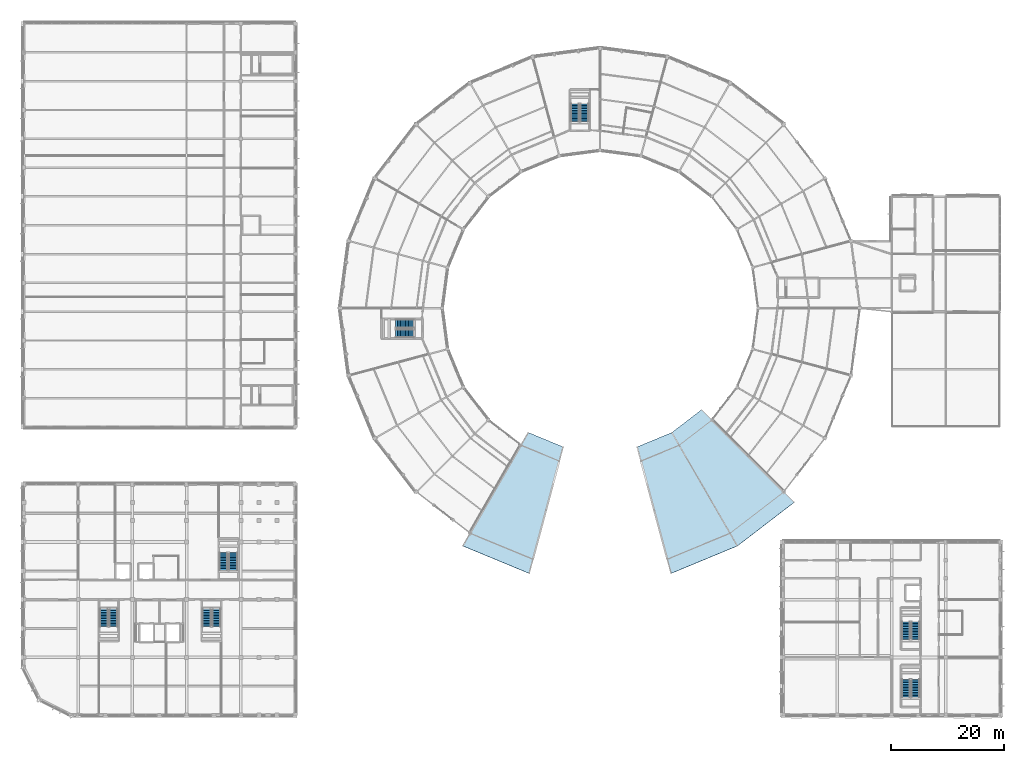
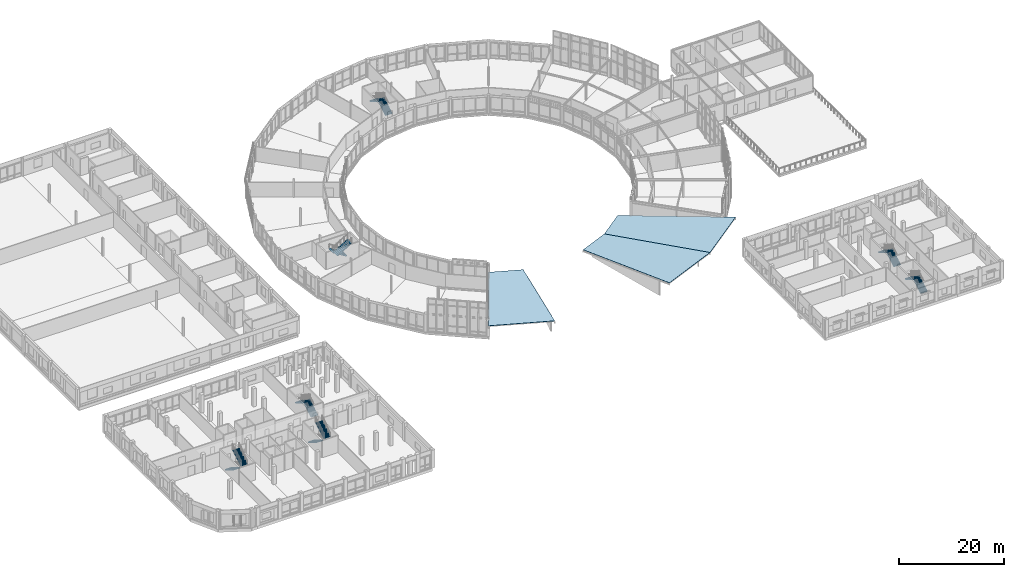
# One storey, part 168 of 185: 14 stair flights, 3 roofs, 7 elements without a shape of their own.
"""IFC4 building model written with IfcOpenShell, lengths in metres."""

from ifc_helpers import new_model, si_unit, direction, frame, origin, place, context, subcontext, project, spatial, polyline, outline, extrude, material, layer, layer_set, type_object, element, aggregate, save


model = new_model("IFC4")

# Units and contexts
model_context = context("Model", 3, precision=1e-05, world=origin(), true_north=direction((0.0, 1.0)))
body_context = subcontext(model_context, "Body", "Model", "MODEL_VIEW")
ifc_project = project(units=[si_unit("LENGTHUNIT", "METRE"), si_unit("AREAUNIT", "SQUARE_METRE"), si_unit("VOLUMEUNIT", "CUBIC_METRE"), si_unit("PLANEANGLEUNIT", "RADIAN"), si_unit("MASSUNIT", "GRAM", prefix="KILO")], contexts=[model_context])

# Site, building, storey
site_placement = place(None, origin())
site = spatial("IfcSite", under=ifc_project, at=site_placement, CompositionType="ELEMENT")
building_placement = place(site_placement, origin())
building = spatial("IfcBuilding", under=site, at=building_placement, Name="Vondelvale Polytechnic", CompositionType="ELEMENT")
storey_placement = place(building_placement, frame((0.0, 0.0, 9.60009765625)))
storey = spatial("IfcBuildingStorey", under=building, at=storey_placement, Name="L02", CompositionType="ELEMENT", Elevation=9.60009765625)

# Stair, stair flights
ifc_material_1 = material(Name="Concrete N40 (f'c = 40 MPa)", Category="concrete")
stair_type = type_object("IfcStairType", Name="STR-DOG-1500", PredefinedType="HALF_TURN_STAIR", material=ifc_material_1)
stair_1_placement = place(storey_placement, origin())
stair_1 = element("IfcStair", 1, at=stair_1_placement, inside=storey, type_object=stair_type, Name="L02 ST-03", PredefinedType="HALF_TURN_STAIR")
stair_flight_type = type_object("IfcStairFlightType", Name="STF-DOG-1500", PredefinedType="STRAIGHT", material=ifc_material_1)
stair_flight_1_placement = place(storey_placement, frame((14.14990234375, 18.75, 0.0), z_axis=(0.0, 0.0, 1.0), x_axis=(0.0, -1.0, 0.0)))
stair_flight_1 = element("IfcStairFlight", 2, at=stair_flight_1_placement, type_object=stair_flight_type, Name="ST-03 flight 1", NumberOfRisers=12, NumberOfTreads=11, PredefinedType="STRAIGHT", RiserHeight=0.175, TreadLength=0.285, context=body_context, shape_type="SweptSolid", body=[
    extrude(outline(polyline([(0.0, 0.0), (0.0, 0.175048828125), (0.284912109375, 0.175048828125), (0.284912109375, 0.35009765625), (0.570068359375, 0.35009765625), (0.570068359375, 0.52490234375), (0.85498046875, 0.52490234375), (0.85498046875, 0.699951171875), (1.139892578125, 0.699951171875), (1.139892578125, 0.875), (1.425048828125, 0.875), (1.425048828125, 1.050048828125), (1.7099609375, 1.050048828125), (1.7099609375, 1.22509765625), (1.9951171875, 1.22509765625), (1.9951171875, 1.39990234375), (2.280029296875, 1.39990234375), (2.280029296875, 1.574951171875), (2.56494140625, 1.574951171875), (2.56494140625, 1.75), (2.85009765625, 1.75), (2.85009765625, 1.925048828125), (3.135009765625, 1.925048828125), (3.135009765625, 2.10009765625), (3.135009765625, 1.7373046875), (0.3056640625, 0.0), (0.0, 0.0)])), frame((0.0, 0.75, 0.0), z_axis=(0.0, -1.0, 0.0), x_axis=(1.0, 0.0, 0.0)), (0.0, 0.0, 1.0), 1.5),
])
stair_flight_2_placement = place(storey_placement, frame((15.85009765625, 15.614990234375, 2.099853515625), z_axis=(0.0, 0.0, 1.0), x_axis=(0.0, 1.0, 0.0)))
stair_flight_2 = element("IfcStairFlight", 3, at=stair_flight_2_placement, type_object=stair_flight_type, Name="ST-03 flight 2", NumberOfRisers=12, NumberOfTreads=11, PredefinedType="STRAIGHT", RiserHeight=0.175, TreadLength=0.285, context=body_context, shape_type="SweptSolid", body=[
    extrude(outline(polyline([(0.0, 0.0), (0.0, 0.175048828125), (0.284912109375, 0.175048828125), (0.284912109375, 0.35009765625), (0.570068359375, 0.35009765625), (0.570068359375, 0.52490234375), (0.85498046875, 0.52490234375), (0.85498046875, 0.699951171875), (1.139892578125, 0.699951171875), (1.139892578125, 0.875), (1.425048828125, 0.875), (1.425048828125, 1.050048828125), (1.7099609375, 1.050048828125), (1.7099609375, 1.22509765625), (1.9951171875, 1.22509765625), (1.9951171875, 1.39990234375), (2.280029296875, 1.39990234375), (2.280029296875, 1.574951171875), (2.56494140625, 1.574951171875), (2.56494140625, 1.75), (2.85009765625, 1.75), (2.85009765625, 1.925048828125), (3.135009765625, 1.925048828125), (3.135009765625, 2.10009765625), (3.135009765625, 1.7373046875), (0.3056640625, 0.0), (0.0, 0.0)])), frame((0.0, 0.75, 0.0), z_axis=(0.0, -1.0, 0.0), x_axis=(1.0, 0.0, 0.0)), (0.0, 0.0, 1.0), 1.5),
])
aggregate(stair_1, [stair_flight_1, stair_flight_2])

stair_2_placement = place(storey_placement, origin())
stair_2 = element("IfcStair", 4, at=stair_2_placement, inside=storey, type_object=stair_type, Name="L02 ST-04", PredefinedType="HALF_TURN_STAIR")
stair_flight_3_placement = place(storey_placement, frame((32.35009765625, 18.75, 0.0), z_axis=(0.0, 0.0, 1.0), x_axis=(0.0, -1.0, 0.0)))
stair_flight_3 = element("IfcStairFlight", 5, at=stair_flight_3_placement, type_object=stair_flight_type, Name="ST-04 flight 1", NumberOfRisers=12, NumberOfTreads=11, PredefinedType="STRAIGHT", RiserHeight=0.175, TreadLength=0.285, context=body_context, shape_type="SweptSolid", body=[
    extrude(outline(polyline([(0.0, 0.0), (0.0, 0.175048828125), (0.284912109375, 0.175048828125), (0.284912109375, 0.35009765625), (0.570068359375, 0.35009765625), (0.570068359375, 0.52490234375), (0.85498046875, 0.52490234375), (0.85498046875, 0.699951171875), (1.139892578125, 0.699951171875), (1.139892578125, 0.875), (1.425048828125, 0.875), (1.425048828125, 1.050048828125), (1.7099609375, 1.050048828125), (1.7099609375, 1.22509765625), (1.9951171875, 1.22509765625), (1.9951171875, 1.39990234375), (2.280029296875, 1.39990234375), (2.280029296875, 1.574951171875), (2.56494140625, 1.574951171875), (2.56494140625, 1.75), (2.85009765625, 1.75), (2.85009765625, 1.925048828125), (3.135009765625, 1.925048828125), (3.135009765625, 2.10009765625), (3.135009765625, 1.7373046875), (0.3056640625, 0.0), (0.0, 0.0)])), frame((0.0, 0.75, 0.0), z_axis=(0.0, -1.0, 0.0), x_axis=(1.0, 0.0, 0.0)), (0.0, 0.0, 1.0), 1.5),
])
stair_flight_4_placement = place(storey_placement, frame((34.050048828125, 15.614990234375, 2.099853515625), z_axis=(0.0, 0.0, 1.0), x_axis=(0.0, 1.0, 0.0)))
stair_flight_4 = element("IfcStairFlight", 6, at=stair_flight_4_placement, type_object=stair_flight_type, Name="ST-04 flight 2", NumberOfRisers=12, NumberOfTreads=11, PredefinedType="STRAIGHT", RiserHeight=0.175, TreadLength=0.285, context=body_context, shape_type="SweptSolid", body=[
    extrude(outline(polyline([(0.0, 0.0), (0.0, 0.175048828125), (0.284912109375, 0.175048828125), (0.284912109375, 0.35009765625), (0.570068359375, 0.35009765625), (0.570068359375, 0.52490234375), (0.85498046875, 0.52490234375), (0.85498046875, 0.699951171875), (1.139892578125, 0.699951171875), (1.139892578125, 0.875), (1.425048828125, 0.875), (1.425048828125, 1.050048828125), (1.7099609375, 1.050048828125), (1.7099609375, 1.22509765625), (1.9951171875, 1.22509765625), (1.9951171875, 1.39990234375), (2.280029296875, 1.39990234375), (2.280029296875, 1.574951171875), (2.56494140625, 1.574951171875), (2.56494140625, 1.75), (2.85009765625, 1.75), (2.85009765625, 1.925048828125), (3.135009765625, 1.925048828125), (3.135009765625, 2.10009765625), (3.135009765625, 1.7373046875), (0.3056640625, 0.0), (0.0, 0.0)])), frame((0.0, 0.75, 0.0), z_axis=(0.0, -1.0, 0.0), x_axis=(1.0, 0.0, 0.0)), (0.0, 0.0, 1.0), 1.5),
])
aggregate(stair_2, [stair_flight_3, stair_flight_4])

stair_3_placement = place(storey_placement, origin())
stair_3 = element("IfcStair", 7, at=stair_3_placement, inside=storey, type_object=stair_type, Name="L02 ST-05", PredefinedType="HALF_TURN_STAIR")
stair_flight_5_placement = place(storey_placement, frame((37.050048828125, 25.60009765625, 0.0), z_axis=(0.0, 0.0, 1.0), x_axis=(0.0, 1.0, 0.0)))
stair_flight_5 = element("IfcStairFlight", 8, at=stair_flight_5_placement, type_object=stair_flight_type, Name="ST-05 flight 1", NumberOfRisers=12, NumberOfTreads=11, PredefinedType="STRAIGHT", RiserHeight=0.175, TreadLength=0.285, context=body_context, shape_type="SweptSolid", body=[
    extrude(outline(polyline([(0.0, 0.0), (0.0, 0.175048828125), (0.284912109375, 0.175048828125), (0.284912109375, 0.35009765625), (0.570068359375, 0.35009765625), (0.570068359375, 0.52490234375), (0.85498046875, 0.52490234375), (0.85498046875, 0.699951171875), (1.139892578125, 0.699951171875), (1.139892578125, 0.875), (1.425048828125, 0.875), (1.425048828125, 1.050048828125), (1.7099609375, 1.050048828125), (1.7099609375, 1.22509765625), (1.9951171875, 1.22509765625), (1.9951171875, 1.39990234375), (2.280029296875, 1.39990234375), (2.280029296875, 1.574951171875), (2.56494140625, 1.574951171875), (2.56494140625, 1.75), (2.85009765625, 1.75), (2.85009765625, 1.925048828125), (3.135009765625, 1.925048828125), (3.135009765625, 2.10009765625), (3.135009765625, 1.7373046875), (0.3056640625, 0.0), (0.0, 0.0)])), frame((0.0, 0.75, 0.0), z_axis=(0.0, -1.0, 0.0), x_axis=(1.0, 0.0, 0.0)), (0.0, 0.0, 1.0), 1.5),
])
stair_flight_6_placement = place(storey_placement, frame((35.35009765625, 28.735107421875, 2.099853515625), z_axis=(0.0, 0.0, 1.0), x_axis=(0.0, -1.0, 0.0)))
stair_flight_6 = element("IfcStairFlight", 9, at=stair_flight_6_placement, type_object=stair_flight_type, Name="ST-05 flight 2", NumberOfRisers=12, NumberOfTreads=11, PredefinedType="STRAIGHT", RiserHeight=0.175, TreadLength=0.285, context=body_context, shape_type="SweptSolid", body=[
    extrude(outline(polyline([(0.0, 0.0), (0.0, 0.175048828125), (0.284912109375, 0.175048828125), (0.284912109375, 0.35009765625), (0.570068359375, 0.35009765625), (0.570068359375, 0.52490234375), (0.85498046875, 0.52490234375), (0.85498046875, 0.699951171875), (1.139892578125, 0.699951171875), (1.139892578125, 0.875), (1.425048828125, 0.875), (1.425048828125, 1.050048828125), (1.7099609375, 1.050048828125), (1.7099609375, 1.22509765625), (1.9951171875, 1.22509765625), (1.9951171875, 1.39990234375), (2.280029296875, 1.39990234375), (2.280029296875, 1.574951171875), (2.56494140625, 1.574951171875), (2.56494140625, 1.75), (2.85009765625, 1.75), (2.85009765625, 1.925048828125), (3.135009765625, 1.925048828125), (3.135009765625, 2.10009765625), (3.135009765625, 1.7373046875), (0.3056640625, 0.0), (0.0, 0.0)])), frame((0.0, 0.75, 0.0), z_axis=(0.0, -1.0, 0.0), x_axis=(1.0, 0.0, 0.0)), (0.0, 0.0, 1.0), 1.5),
])
aggregate(stair_3, [stair_flight_5, stair_flight_6])

stair_4_placement = place(storey_placement, origin())
stair_4 = element("IfcStair", 10, at=stair_4_placement, inside=storey, type_object=stair_type, Name="L02 ST-06", PredefinedType="HALF_TURN_STAIR")
stair_flight_7_placement = place(storey_placement, frame((157.85009765625, 3.14990234375, 0.0), z_axis=(0.0, 0.0, 1.0), x_axis=(0.0, 1.0, 0.0)))
stair_flight_7 = element("IfcStairFlight", 11, at=stair_flight_7_placement, type_object=stair_flight_type, Name="ST-06 flight 1", NumberOfRisers=12, NumberOfTreads=11, PredefinedType="STRAIGHT", RiserHeight=0.175, TreadLength=0.285, context=body_context, shape_type="SweptSolid", body=[
    extrude(outline(polyline([(0.0, 0.0), (0.0, 0.175048828125), (0.284912109375, 0.175048828125), (0.284912109375, 0.35009765625), (0.570068359375, 0.35009765625), (0.570068359375, 0.52490234375), (0.85498046875, 0.52490234375), (0.85498046875, 0.699951171875), (1.139892578125, 0.699951171875), (1.139892578125, 0.875), (1.425048828125, 0.875), (1.425048828125, 1.050048828125), (1.7099609375, 1.050048828125), (1.7099609375, 1.22509765625), (1.9951171875, 1.22509765625), (1.9951171875, 1.39990234375), (2.280029296875, 1.39990234375), (2.280029296875, 1.574951171875), (2.56494140625, 1.574951171875), (2.56494140625, 1.75), (2.85009765625, 1.75), (2.85009765625, 1.925048828125), (3.135009765625, 1.925048828125), (3.135009765625, 2.10009765625), (3.135009765625, 1.7373046875), (0.3056640625, 0.0), (0.0, 0.0)])), frame((0.0, 0.75, 0.0), z_axis=(0.0, -1.0, 0.0), x_axis=(1.0, 0.0, 0.0)), (0.0, 0.0, 1.0), 1.5),
])
stair_flight_8_placement = place(storey_placement, frame((156.14990234375, 6.284912109375, 2.099853515625), z_axis=(0.0, 0.0, 1.0), x_axis=(0.0, -1.0, 0.0)))
stair_flight_8 = element("IfcStairFlight", 12, at=stair_flight_8_placement, type_object=stair_flight_type, Name="ST-06 flight 2", NumberOfRisers=12, NumberOfTreads=11, PredefinedType="STRAIGHT", RiserHeight=0.175, TreadLength=0.285, context=body_context, shape_type="SweptSolid", body=[
    extrude(outline(polyline([(0.0, 0.0), (0.0, 0.175048828125), (0.284912109375, 0.175048828125), (0.284912109375, 0.35009765625), (0.570068359375, 0.35009765625), (0.570068359375, 0.52490234375), (0.85498046875, 0.52490234375), (0.85498046875, 0.699951171875), (1.139892578125, 0.699951171875), (1.139892578125, 0.875), (1.425048828125, 0.875), (1.425048828125, 1.050048828125), (1.7099609375, 1.050048828125), (1.7099609375, 1.22509765625), (1.9951171875, 1.22509765625), (1.9951171875, 1.39990234375), (2.280029296875, 1.39990234375), (2.280029296875, 1.574951171875), (2.56494140625, 1.574951171875), (2.56494140625, 1.75), (2.85009765625, 1.75), (2.85009765625, 1.925048828125), (3.135009765625, 1.925048828125), (3.135009765625, 2.10009765625), (3.135009765625, 1.7373046875), (0.3056640625, 0.0), (0.0, 0.0)])), frame((0.0, 0.75, 0.0), z_axis=(0.0, -1.0, 0.0), x_axis=(1.0, 0.0, 0.0)), (0.0, 0.0, 1.0), 1.5),
])
aggregate(stair_4, [stair_flight_7, stair_flight_8])

stair_5_placement = place(storey_placement, origin())
stair_5 = element("IfcStair", 13, at=stair_5_placement, inside=storey, type_object=stair_type, Name="L02 ST-07", PredefinedType="HALF_TURN_STAIR")
stair_flight_9_placement = place(storey_placement, frame((157.85009765625, 13.35009765625, 0.0), z_axis=(0.0, 0.0, 1.0), x_axis=(0.0, 1.0, 0.0)))
stair_flight_9 = element("IfcStairFlight", 14, at=stair_flight_9_placement, type_object=stair_flight_type, Name="ST-07 flight 1", NumberOfRisers=12, NumberOfTreads=11, PredefinedType="STRAIGHT", RiserHeight=0.175, TreadLength=0.285, context=body_context, shape_type="SweptSolid", body=[
    extrude(outline(polyline([(0.0, 0.0), (0.0, 0.175048828125), (0.284912109375, 0.175048828125), (0.284912109375, 0.35009765625), (0.570068359375, 0.35009765625), (0.570068359375, 0.52490234375), (0.85498046875, 0.52490234375), (0.85498046875, 0.699951171875), (1.139892578125, 0.699951171875), (1.139892578125, 0.875), (1.425048828125, 0.875), (1.425048828125, 1.050048828125), (1.7099609375, 1.050048828125), (1.7099609375, 1.22509765625), (1.9951171875, 1.22509765625), (1.9951171875, 1.39990234375), (2.280029296875, 1.39990234375), (2.280029296875, 1.574951171875), (2.56494140625, 1.574951171875), (2.56494140625, 1.75), (2.85009765625, 1.75), (2.85009765625, 1.925048828125), (3.135009765625, 1.925048828125), (3.135009765625, 2.10009765625), (3.135009765625, 1.7373046875), (0.3056640625, 0.0), (0.0, 0.0)])), frame((0.0, 0.75, 0.0), z_axis=(0.0, -1.0, 0.0), x_axis=(1.0, 0.0, 0.0)), (0.0, 0.0, 1.0), 1.5),
])
stair_flight_10_placement = place(storey_placement, frame((156.14990234375, 16.485107421875, 2.099853515625), z_axis=(0.0, 0.0, 1.0), x_axis=(0.0, -1.0, 0.0)))
stair_flight_10 = element("IfcStairFlight", 15, at=stair_flight_10_placement, type_object=stair_flight_type, Name="ST-07 flight 2", NumberOfRisers=12, NumberOfTreads=11, PredefinedType="STRAIGHT", RiserHeight=0.175, TreadLength=0.285, context=body_context, shape_type="SweptSolid", body=[
    extrude(outline(polyline([(0.0, 0.0), (0.0, 0.175048828125), (0.284912109375, 0.175048828125), (0.284912109375, 0.35009765625), (0.570068359375, 0.35009765625), (0.570068359375, 0.52490234375), (0.85498046875, 0.52490234375), (0.85498046875, 0.699951171875), (1.139892578125, 0.699951171875), (1.139892578125, 0.875), (1.425048828125, 0.875), (1.425048828125, 1.050048828125), (1.7099609375, 1.050048828125), (1.7099609375, 1.22509765625), (1.9951171875, 1.22509765625), (1.9951171875, 1.39990234375), (2.280029296875, 1.39990234375), (2.280029296875, 1.574951171875), (2.56494140625, 1.574951171875), (2.56494140625, 1.75), (2.85009765625, 1.75), (2.85009765625, 1.925048828125), (3.135009765625, 1.925048828125), (3.135009765625, 2.10009765625), (3.135009765625, 1.7373046875), (0.3056640625, 0.0), (0.0, 0.0)])), frame((0.0, 0.75, 0.0), z_axis=(0.0, -1.0, 0.0), x_axis=(1.0, 0.0, 0.0)), (0.0, 0.0, 1.0), 1.5),
])
aggregate(stair_5, [stair_flight_9, stair_flight_10])

stair_6_placement = place(storey_placement, origin())
stair_6 = element("IfcStair", 16, at=stair_6_placement, inside=storey, type_object=stair_type, Name="L02 ST-09", PredefinedType="HALF_TURN_STAIR")
stair_flight_11_placement = place(storey_placement, frame((99.25, 105.050048828125, 0.0), z_axis=(0.0, 0.0, 1.0), x_axis=(0.0, 1.0, 0.0)))
stair_flight_11 = element("IfcStairFlight", 17, at=stair_flight_11_placement, type_object=stair_flight_type, Name="ST-09 flight 1", NumberOfRisers=12, NumberOfTreads=11, PredefinedType="STRAIGHT", RiserHeight=0.175, TreadLength=0.285, context=body_context, shape_type="SweptSolid", body=[
    extrude(outline(polyline([(0.0, 0.0), (0.0, 0.175048828125), (0.284912109375, 0.175048828125), (0.284912109375, 0.35009765625), (0.570068359375, 0.35009765625), (0.570068359375, 0.52490234375), (0.85498046875, 0.52490234375), (0.85498046875, 0.699951171875), (1.139892578125, 0.699951171875), (1.139892578125, 0.875), (1.425048828125, 0.875), (1.425048828125, 1.050048828125), (1.7099609375, 1.050048828125), (1.7099609375, 1.22509765625), (1.9951171875, 1.22509765625), (1.9951171875, 1.39990234375), (2.280029296875, 1.39990234375), (2.280029296875, 1.574951171875), (2.56494140625, 1.574951171875), (2.56494140625, 1.75), (2.85009765625, 1.75), (2.85009765625, 1.925048828125), (3.135009765625, 1.925048828125), (3.135009765625, 2.10009765625), (3.135009765625, 1.7373046875), (0.3056640625, 0.0), (0.0, 0.0)])), frame((0.0, 0.75, 0.0), z_axis=(0.0, -1.0, 0.0), x_axis=(1.0, 0.0, 0.0)), (0.0, 0.0, 1.0), 1.5),
])
stair_flight_12_placement = place(storey_placement, frame((97.550048828125, 108.18505859375, 2.099853515625), z_axis=(0.0, 0.0, 1.0), x_axis=(0.0, -1.0, 0.0)))
stair_flight_12 = element("IfcStairFlight", 18, at=stair_flight_12_placement, type_object=stair_flight_type, Name="ST-09 flight 2", NumberOfRisers=12, NumberOfTreads=11, PredefinedType="STRAIGHT", RiserHeight=0.175, TreadLength=0.285, context=body_context, shape_type="SweptSolid", body=[
    extrude(outline(polyline([(0.0, 0.0), (0.0, 0.175048828125), (0.284912109375, 0.175048828125), (0.284912109375, 0.35009765625), (0.570068359375, 0.35009765625), (0.570068359375, 0.52490234375), (0.85498046875, 0.52490234375), (0.85498046875, 0.699951171875), (1.139892578125, 0.699951171875), (1.139892578125, 0.875), (1.425048828125, 0.875), (1.425048828125, 1.050048828125), (1.7099609375, 1.050048828125), (1.7099609375, 1.22509765625), (1.9951171875, 1.22509765625), (1.9951171875, 1.39990234375), (2.280029296875, 1.39990234375), (2.280029296875, 1.574951171875), (2.56494140625, 1.574951171875), (2.56494140625, 1.75), (2.85009765625, 1.75), (2.85009765625, 1.925048828125), (3.135009765625, 1.925048828125), (3.135009765625, 2.10009765625), (3.135009765625, 1.7373046875), (0.3056640625, 0.0), (0.0, 0.0)])), frame((0.0, 0.75, 0.0), z_axis=(0.0, -1.0, 0.0), x_axis=(1.0, 0.0, 0.0)), (0.0, 0.0, 1.0), 1.5),
])
aggregate(stair_6, [stair_flight_11, stair_flight_12])

stair_7_placement = place(storey_placement, origin())
stair_7 = element("IfcStair", 19, at=stair_7_placement, inside=storey, type_object=stair_type, Name="L02 ST-10", PredefinedType="HALF_TURN_STAIR")
stair_flight_13_placement = place(storey_placement, frame((68.949951171875, 69.25, 0.0), z_axis=(0.0, 0.0, 1.0), x_axis=(-1.0, 0.0, 0.0)))
stair_flight_13 = element("IfcStairFlight", 20, at=stair_flight_13_placement, type_object=stair_flight_type, Name="ST-10 flight 1", NumberOfRisers=12, NumberOfTreads=11, PredefinedType="STRAIGHT", RiserHeight=0.175, TreadLength=0.285, context=body_context, shape_type="SweptSolid", body=[
    extrude(outline(polyline([(0.0, 0.0), (0.0, 0.175048828125), (0.284912109375, 0.175048828125), (0.284912109375, 0.35009765625), (0.570068359375, 0.35009765625), (0.570068359375, 0.52490234375), (0.85498046875, 0.52490234375), (0.85498046875, 0.699951171875), (1.139892578125, 0.699951171875), (1.139892578125, 0.875), (1.425048828125, 0.875), (1.425048828125, 1.050048828125), (1.7099609375, 1.050048828125), (1.7099609375, 1.22509765625), (1.9951171875, 1.22509765625), (1.9951171875, 1.39990234375), (2.280029296875, 1.39990234375), (2.280029296875, 1.574951171875), (2.56494140625, 1.574951171875), (2.56494140625, 1.75), (2.85009765625, 1.75), (2.85009765625, 1.925048828125), (3.135009765625, 1.925048828125), (3.135009765625, 2.10009765625), (3.135009765625, 1.7373046875), (0.3056640625, 0.0), (0.0, 0.0)])), frame((0.0, 0.75, 0.0), z_axis=(0.0, -1.0, 0.0), x_axis=(1.0, 0.0, 0.0)), (0.0, 0.0, 1.0), 1.5),
])
stair_flight_14_placement = place(storey_placement, frame((65.81494140625, 67.550048828125, 2.099853515625), z_axis=(0.0, 0.0, 1.0), x_axis=(1.0, 0.0, 0.0)))
stair_flight_14 = element("IfcStairFlight", 21, at=stair_flight_14_placement, type_object=stair_flight_type, Name="ST-10 flight 2", NumberOfRisers=12, NumberOfTreads=11, PredefinedType="STRAIGHT", RiserHeight=0.175, TreadLength=0.285, context=body_context, shape_type="SweptSolid", body=[
    extrude(outline(polyline([(0.0, 0.0), (0.0, 0.175048828125), (0.284912109375, 0.175048828125), (0.284912109375, 0.35009765625), (0.570068359375, 0.35009765625), (0.570068359375, 0.52490234375), (0.85498046875, 0.52490234375), (0.85498046875, 0.699951171875), (1.139892578125, 0.699951171875), (1.139892578125, 0.875), (1.425048828125, 0.875), (1.425048828125, 1.050048828125), (1.7099609375, 1.050048828125), (1.7099609375, 1.22509765625), (1.9951171875, 1.22509765625), (1.9951171875, 1.39990234375), (2.280029296875, 1.39990234375), (2.280029296875, 1.574951171875), (2.56494140625, 1.574951171875), (2.56494140625, 1.75), (2.85009765625, 1.75), (2.85009765625, 1.925048828125), (3.135009765625, 1.925048828125), (3.135009765625, 2.10009765625), (3.135009765625, 1.7373046875), (0.3056640625, 0.0), (0.0, 0.0)])), frame((0.0, 0.75, 0.0), z_axis=(0.0, -1.0, 0.0), x_axis=(1.0, 0.0, 0.0)), (0.0, 0.0, 1.0), 1.5),
])
aggregate(stair_7, [stair_flight_13, stair_flight_14])

# Roofs
ifc_material_2 = material(Name="Dark zinc-bronze standing-seam insulated roof system")
ifc_layer = layer(ifc_material_2, 0.06005859375)
ifc_layer_set = layer_set([ifc_layer], Name="RF-ZINC-RING")
roof_type = type_object("IfcRoofType", Name="RF-ZINC-RING", PredefinedType="SHED_ROOF", material=ifc_layer_set)
roof_1_placement = place(storey_placement, frame((89.300048828125, 50.0029296875, 0.329833984375), z_axis=(0.062376311028, 0.150590999507, 0.986626346035), x_axis=(-0.493427837562, -0.854635232916, 0.161640303693)))
element("IfcRoof", 22, at=roof_1_placement, inside=storey, type_object=roof_type, Name="Circular cloister dark zinc roof sector 16", PredefinedType="SHED_ROOF", context=body_context, shape_type="SweptSolid", body=[
    extrude(outline(polyline([(0.0, 0.0), (23.50920965061897, 1.4988010832439613e-15), (21.874973070490455, 12.58151533349702), (-0.854215655375723, 6.575413851727523), (0.0, 0.0)])), origin(), (0.0, 0.0, -1.0), 0.06005859375),
])
roof_2_placement = place(storey_placement, frame((108.573974609375, 47.465576171875, 0.329833984375), z_axis=(-0.062376311028, 0.150590999507, 0.986626346035), x_axis=(0.255414942232, -0.95322377248, 0.161640486462)))
element("IfcRoof", 23, at=roof_2_placement, inside=storey, type_object=roof_type, Name="Circular cloister dark zinc roof sector 19", PredefinedType="SHED_ROOF", context=body_context, shape_type="SweptSolid", body=[
    extrude(outline(polyline([(0.0, 0.0), (23.509344421853964, 0.0), (21.87505868655071, 12.581508948541707), (-0.853999740453026, 6.575441897749939), (0.0, 0.0)])), origin(), (0.0, 0.0, -1.0), 0.06005859375),
])
roof_3_placement = place(storey_placement, frame((114.699951171875, 50.0029296875, 0.329833984375), z_axis=(-0.09922705884, 0.129315091006, 0.986626372054), x_axis=(0.493427854302, -0.854635215769, 0.161640343248)))
element("IfcRoof", 24, at=roof_3_placement, inside=storey, type_object=roof_type, Name="Circular cloister dark zinc roof sector 20", PredefinedType="SHED_ROOF", context=body_context, shape_type="SweptSolid", body=[
    extrude(outline(polyline([(0.0, 0.0), (23.50920965061948, -2.2898349882893854e-15), (21.87509307989471, 12.58146535201625), (-0.8541622756052316, 6.575527078680868), (0.0, 0.0)])), origin(), (0.0, 0.0, -1.0), 0.06005859375),
])

save(model, "model.ifc")
